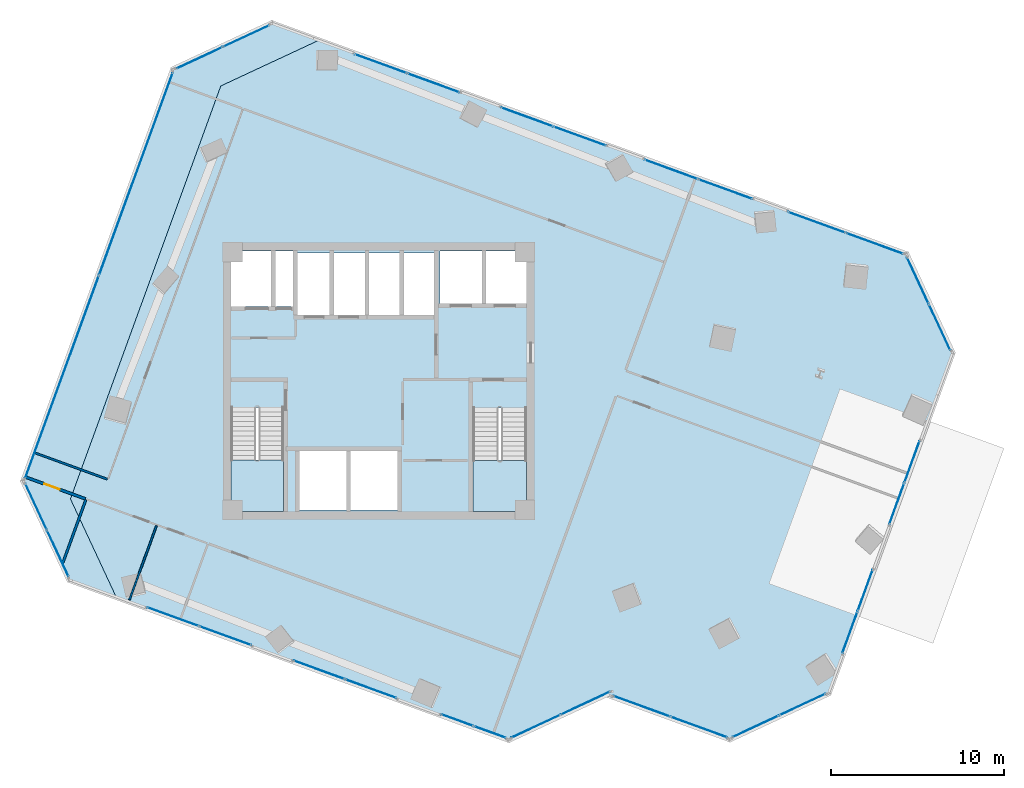
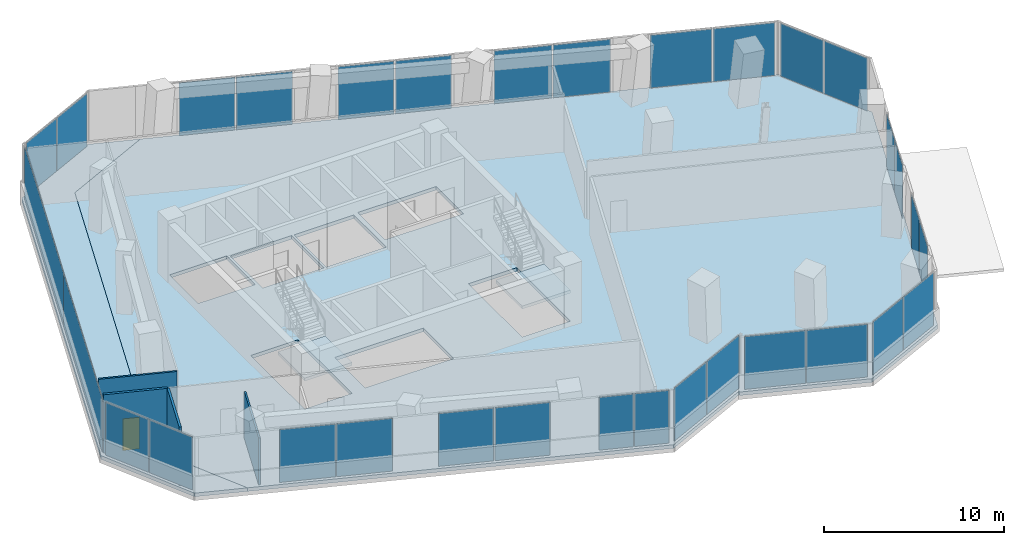
# One storey, part 15 of 21: 32 plates, 4 slabs, 4 walls, 1 door, 1 opening, 18 elements without a shape of their own.
"""IFC4 building model written with IfcOpenShell, lengths in metres."""

from ifc_helpers import new_model, si_unit, direction, frame, frame_2d, origin, origin_2d, place, context, subcontext, project, spatial, polyline, rectangle, outline, extrude, source, transform, mapped, material, layer, layer_set, type_object, element, fill, aggregate, save


model = new_model("IFC4")

# Units and contexts
model_context = context("Model", 3, precision=1e-05, world=origin(), true_north=direction((0.0, 1.0)))
body_context = subcontext(model_context, "Body", "Model", "MODEL_VIEW")
ifc_project = project(units=[si_unit("LENGTHUNIT", "METRE"), si_unit("AREAUNIT", "SQUARE_METRE"), si_unit("VOLUMEUNIT", "CUBIC_METRE"), si_unit("PLANEANGLEUNIT", "RADIAN"), si_unit("MASSUNIT", "GRAM", prefix="KILO")], contexts=[model_context])

# Site, building, storey
site_placement = place(None, origin())
site = spatial("IfcSite", under=ifc_project, at=site_placement, CompositionType="ELEMENT")
building_placement = place(site_placement, origin())
building = spatial("IfcBuilding", under=site, at=building_placement, Name="Torre Montelarca", CompositionType="ELEMENT")
storey_placement = place(building_placement, frame((0.0, 0.0, 133.0)))
storey = spatial("IfcBuildingStorey", under=building, at=storey_placement, Name="L29", CompositionType="ELEMENT", Elevation=133.0)

# Slabs
ifc_material_1 = material(Name="Concrete C40/50", Category="concrete")
ifc_layer_1 = layer(ifc_material_1, 0.239990234375, Name="Concrete C40/50", Category="concrete")
ifc_layer_set_1 = layer_set([ifc_layer_1], Name="Concrete C40/50")
slab_type_1 = type_object("IfcSlabType", Name="SL-FLR-240", PredefinedType="FLOOR", material=ifc_layer_set_1)
slab_1_placement = place(storey_placement, frame((0.0, 0.0, -0.239990234375)))
element("IfcSlab", 1, at=slab_1_placement, inside=storey, type_object=slab_type_1, Name="L29 Structural Floor Slab", PredefinedType="FLOOR", context=body_context, shape_type="SweptSolid", body=[
    extrude(outline(polyline([(25.517822265625, 11.169677734375), (31.28564453125, 13.859130859375), (31.25146484375, 13.76513671875), (38.299072265625, 11.199951171875), (44.06689453125, 13.889404296875), (51.249267578125, 33.623046875), (48.559814453125, 39.390869140625), (14.63671875, 51.73779296875), (8.869140625, 49.048095703125), (0.181884765625, 25.179931640625), (2.871337890625, 19.412353515625), (25.517822265625, 11.169677734375)]), holes=[polyline([(19.10009765625, 27.949951171875), (19.10009765625, 24.550048828125), (13.39990234375, 24.550048828125), (13.39990234375, 27.949951171875), (19.10009765625, 27.949951171875)]), polyline([(23.43994140625, 24.449951171875), (23.43994140625, 30.429931640625), (26.550048828125, 30.429931640625), (26.550048828125, 24.449951171875), (23.43994140625, 24.449951171875)]), polyline([(9.449951171875, 24.449951171875), (9.449951171875, 30.4599609375), (12.5, 30.4599609375), (12.5, 24.449951171875), (9.449951171875, 24.449951171875)]), polyline([(17.25, 35.800048828125), (13.300048828125, 35.800048828125), (13.300048828125, 39.39990234375), (17.25, 39.39990234375), (17.25, 35.800048828125)]), polyline([(21.25, 35.800048828125), (17.39990234375, 35.800048828125), (17.39990234375, 39.39990234375), (21.25, 39.39990234375), (21.25, 35.800048828125)]), polyline([(13.1201171875, 36.300048828125), (9.449951171875, 36.300048828125), (9.449951171875, 39.5), (13.1201171875, 39.5), (13.1201171875, 36.300048828125)]), polyline([(26.60009765625, 36.449951171875), (21.550048828125, 36.449951171875), (21.550048828125, 39.5), (26.60009765625, 39.5), (26.60009765625, 36.449951171875)])]), origin(), (0.0, 0.0, 1.0), 0.239990234375),
])
slab_2_placement = place(storey_placement, frame((0.0, 0.0, -0.239990234375)))
element("IfcSlab", 2, at=slab_2_placement, inside=storey, type_object=slab_type_1, Name="L29 Sliding Tray Winter Garden Floor Slab W1", PredefinedType="FLOOR", context=body_context, shape_type="SweptSolid", body=[
    extrude(outline(polyline([(2.871337890625, 19.412353515625), (0.181884765625, 25.179931640625), (8.869140625, 49.048095703125), (14.63671875, 51.73779296875), (11.817626953125, 52.763671875), (6.050048828125, 50.07421875), (-2.63720703125, 26.2060546875), (0.05224609375, 20.438232421875), (2.871337890625, 19.412353515625)])), origin(), (0.0, 0.0, 1.0), 0.239990234375),
])

# Stair, slab
stair_type_1 = type_object("IfcStairType", Name="ST-CORE-ST1", PredefinedType="HALF_TURN_STAIR", material=ifc_material_1)
stair_1_placement = place(storey_placement, origin())
stair_1 = element("IfcStair", 3, at=stair_1_placement, inside=storey, type_object=stair_type_1, Name="L29 Protected Exit Stair ST1", PredefinedType="HALF_TURN_STAIR")
ifc_layer_2 = layer(ifc_material_1, 0.199951171875, Name="Concrete C40/50", Category="concrete")
ifc_layer_set_2 = layer_set([ifc_layer_2], Name="Concrete C40/50")
slab_type_2 = type_object("IfcSlabType", Name="SL-ST-LAND-ST1", PredefinedType="LANDING", material=ifc_layer_set_2)
slab_3_placement = place(storey_placement, frame((0.0, 0.0, 1.89990234375)))
slab_3 = element("IfcSlab", 4, at=slab_3_placement, type_object=slab_type_2, Name="ST1 landing 1", PredefinedType="LANDING", context=body_context, shape_type="SweptSolid", body=[
    extrude(outline(polyline([(9.449951171875, 27.419921875), (9.449951171875, 24.449951171875), (12.5, 24.449951171875), (12.5, 27.419921875), (9.449951171875, 27.419921875)])), origin(), (0.0, 0.0, 1.0), 0.2001953125),
])
aggregate(stair_1, [slab_3])

stair_type_2 = type_object("IfcStairType", Name="ST-CORE-ST2", PredefinedType="HALF_TURN_STAIR", material=ifc_material_1)
stair_2_placement = place(storey_placement, origin())
stair_2 = element("IfcStair", 5, at=stair_2_placement, inside=storey, type_object=stair_type_2, Name="L29 Protected Exit Stair ST2", PredefinedType="HALF_TURN_STAIR")
ifc_layer_3 = layer(ifc_material_1, 0.199951171875, Name="Concrete C40/50", Category="concrete")
ifc_layer_set_3 = layer_set([ifc_layer_3], Name="Concrete C40/50")
slab_type_3 = type_object("IfcSlabType", Name="SL-ST-LAND-ST2", PredefinedType="LANDING", material=ifc_layer_set_3)
slab_4_placement = place(storey_placement, frame((0.0, 0.0, 1.89990234375)))
slab_4 = element("IfcSlab", 6, at=slab_4_placement, type_object=slab_type_3, Name="ST2 landing 1", PredefinedType="LANDING", context=body_context, shape_type="SweptSolid", body=[
    extrude(outline(polyline([(23.43994140625, 27.389892578125), (23.43994140625, 24.449951171875), (26.550048828125, 24.449951171875), (26.550048828125, 27.389892578125), (23.43994140625, 27.389892578125)])), origin(), (0.0, 0.0, 1.0), 0.2001953125),
])
aggregate(stair_2, [slab_4])

# Curtain wall, plates
ifc_material_2 = material(Name="Insulated low-E laminated glass", Category="glass")
curtain_wall_type = type_object("IfcCurtainWallType", Name="CW-SYS-Z2", PredefinedType="USERDEFINED", material=ifc_material_2)
curtain_wall_1_placement = place(storey_placement, origin())
curtain_wall_1 = element("IfcCurtainWall", 7, at=curtain_wall_1_placement, inside=storey, type_object=curtain_wall_type, Name="L29 Curtain Wall Run CW-T3-L29-E01-B1", ObjectType="UNITISED GLAZING", PredefinedType="USERDEFINED")
ifc_layer_4 = layer(ifc_material_2, 0.031982421875, Name="Insulated low-E laminated glass", Category="glass")
ifc_layer_set_4 = layer_set([ifc_layer_4], Name="Insulated low-E laminated glass")
plate_type = type_object("IfcPlateType", Name="CWP-GLZ-32", PredefinedType="CURTAIN_PANEL", material=ifc_layer_set_4)
shared_shape_1 = source(origin(), body_context, "Body", "SweptSolid", [
    extrude(rectangle(XDim=3.160400390625, YDim=0.031982421875, at=origin_2d()), origin(), (0.0, 0.0, 1.0), 3.590087890625),
])
plate_1_placement = place(storey_placement, frame((6.11083984375, 18.371337890625, 0.06494140625), z_axis=(0.0, 0.0, 1.0), x_axis=(0.939696594155, -0.342009226386, 0.0)))
plate_1 = element("IfcPlate", 8, at=plate_1_placement, type_object=plate_type, Name="CW panel 1.1", PredefinedType="CURTAIN_PANEL", context=body_context, shape_type="MappedRepresentation", body=[
    mapped(shared_shape_1, transform((0.0, 0.0, 0.0), scale=1.0)),
])
plate_2_placement = place(storey_placement, frame((9.1416015625, 17.268310546875, 0.06494140625), z_axis=(0.0, 0.0, 1.0), x_axis=(0.939696594155, -0.342009226386, 0.0)))
plate_2 = element("IfcPlate", 9, at=plate_2_placement, type_object=plate_type, Name="CW panel 2.1", PredefinedType="CURTAIN_PANEL", context=body_context, shape_type="MappedRepresentation", body=[
    mapped(shared_shape_1, transform((0.0, 0.0, 0.0), scale=1.0)),
])
aggregate(curtain_wall_1, [plate_1, plate_2])

curtain_wall_2_placement = place(storey_placement, origin())
curtain_wall_2 = element("IfcCurtainWall", 10, at=curtain_wall_2_placement, inside=storey, type_object=curtain_wall_type, Name="L29 Curtain Wall Run CW-T3-L29-E01-B2", ObjectType="UNITISED GLAZING", PredefinedType="USERDEFINED")
shared_shape_2 = source(origin(), body_context, "Body", "SweptSolid", [
    extrude(rectangle(XDim=3.121826171875, YDim=0.031982421875, at=origin_2d()), origin(), (0.0, 0.0, 1.0), 3.590087890625),
])
plate_3_placement = place(storey_placement, frame((14.5498046875, 15.2998046875, 0.06494140625), z_axis=(0.0, 0.0, 1.0), x_axis=(0.939692256952, -0.34202114295, 0.0)))
plate_3 = element("IfcPlate", 11, at=plate_3_placement, type_object=plate_type, Name="CW panel 1.1", PredefinedType="CURTAIN_PANEL", context=body_context, shape_type="MappedRepresentation", body=[
    mapped(shared_shape_2, transform((0.0, 0.0, 0.0), scale=1.0)),
])
plate_4_placement = place(storey_placement, frame((17.54443359375, 14.2099609375, 0.06494140625), z_axis=(0.0, 0.0, 1.0), x_axis=(0.939692256952, -0.34202114295, 0.0)))
plate_4 = element("IfcPlate", 12, at=plate_4_placement, type_object=plate_type, Name="CW panel 2.1", PredefinedType="CURTAIN_PANEL", context=body_context, shape_type="MappedRepresentation", body=[
    mapped(shared_shape_2, transform((0.0, 0.0, 0.0), scale=1.0)),
])
aggregate(curtain_wall_2, [plate_3, plate_4])

curtain_wall_3_placement = place(storey_placement, origin())
curtain_wall_3 = element("IfcCurtainWall", 13, at=curtain_wall_3_placement, inside=storey, type_object=curtain_wall_type, Name="L29 Curtain Wall Run CW-T3-L29-E01-B3", ObjectType="UNITISED GLAZING", PredefinedType="USERDEFINED")
shared_shape_3 = source(origin(), body_context, "Body", "SweptSolid", [
    extrude(rectangle(XDim=1.95458984375, YDim=0.031982421875, at=origin_2d()), origin(), (0.0, 0.0, 1.0), 3.590087890625),
])
plate_5_placement = place(storey_placement, frame((22.529296875, 12.395751953125, 0.06494140625), z_axis=(0.0, 0.0, 1.0), x_axis=(0.939691650161, -0.342022810083, 0.0)))
plate_5 = element("IfcPlate", 14, at=plate_5_placement, type_object=plate_type, Name="CW panel 1.1", PredefinedType="CURTAIN_PANEL", context=body_context, shape_type="MappedRepresentation", body=[
    mapped(shared_shape_3, transform((0.0, 0.0, 0.0), scale=1.0)),
])
plate_6_placement = place(storey_placement, frame((24.427001953125, 11.705078125, 0.06494140625), z_axis=(0.0, 0.0, 1.0), x_axis=(0.939691650161, -0.342022810083, 0.0)))
plate_6 = element("IfcPlate", 15, at=plate_6_placement, type_object=plate_type, Name="CW panel 2.1", PredefinedType="CURTAIN_PANEL", context=body_context, shape_type="MappedRepresentation", body=[
    mapped(shared_shape_3, transform((0.0, 0.0, 0.0), scale=1.0)),
])
aggregate(curtain_wall_3, [plate_5, plate_6])

curtain_wall_4_placement = place(storey_placement, origin())
curtain_wall_4 = element("IfcCurtainWall", 16, at=curtain_wall_4_placement, inside=storey, type_object=curtain_wall_type, Name="L29 Curtain Wall Run CW-T3-L29-E02-B1", ObjectType="UNITISED GLAZING", PredefinedType="USERDEFINED")
shared_shape_4 = source(origin(), body_context, "Body", "SweptSolid", [
    extrude(rectangle(XDim=3.102294921875, YDim=0.031982421875, at=origin_2d()), origin(), (0.0, 0.0, 1.0), 3.590087890625),
])
plate_7_placement = place(storey_placement, frame((27.078125, 12.04052734375, 0.06494140625), z_axis=(0.0, 0.0, 1.0), x_axis=(0.906321211244, 0.42258947224, 0.0)))
plate_7 = element("IfcPlate", 17, at=plate_7_placement, type_object=plate_type, Name="CW panel 1.1", PredefinedType="CURTAIN_PANEL", context=body_context, shape_type="MappedRepresentation", body=[
    mapped(shared_shape_4, transform((0.0, 0.0, 0.0), scale=1.0)),
])
plate_8_placement = place(storey_placement, frame((29.94873046875, 13.379150390625, 0.06494140625), z_axis=(0.0, 0.0, 1.0), x_axis=(0.906321211244, 0.42258947224, 0.0)))
plate_8 = element("IfcPlate", 18, at=plate_8_placement, type_object=plate_type, Name="CW panel 2.1", PredefinedType="CURTAIN_PANEL", context=body_context, shape_type="MappedRepresentation", body=[
    mapped(shared_shape_4, transform((0.0, 0.0, 0.0), scale=1.0)),
])
aggregate(curtain_wall_4, [plate_7, plate_8])

curtain_wall_5_placement = place(storey_placement, origin())
curtain_wall_5 = element("IfcCurtainWall", 19, at=curtain_wall_5_placement, inside=storey, type_object=curtain_wall_type, Name="L29 Curtain Wall Run CW-T3-L29-E04-B1", ObjectType="UNITISED GLAZING", PredefinedType="USERDEFINED")
shared_shape_5 = source(origin(), body_context, "Body", "SweptSolid", [
    extrude(rectangle(XDim=3.448486328125, YDim=0.031982421875, at=origin_2d()), origin(), (0.0, 0.0, 1.0), 3.590087890625),
])
plate_9_placement = place(storey_placement, frame((33.20458984375, 13.192626953125, 0.06494140625), z_axis=(0.0, 0.0, 1.0), x_axis=(0.939694579801, -0.342014760928, 0.0)))
plate_9 = element("IfcPlate", 20, at=plate_9_placement, type_object=plate_type, Name="CW panel 1.1", PredefinedType="CURTAIN_PANEL", context=body_context, shape_type="MappedRepresentation", body=[
    mapped(shared_shape_5, transform((0.0, 0.0, 0.0), scale=1.0)),
])
plate_10_placement = place(storey_placement, frame((36.50634765625, 11.990966796875, 0.06494140625), z_axis=(0.0, 0.0, 1.0), x_axis=(0.939694579801, -0.342014760928, 0.0)))
plate_10 = element("IfcPlate", 21, at=plate_10_placement, type_object=plate_type, Name="CW panel 2.1", PredefinedType="CURTAIN_PANEL", context=body_context, shape_type="MappedRepresentation", body=[
    mapped(shared_shape_5, transform((0.0, 0.0, 0.0), scale=1.0)),
])
aggregate(curtain_wall_5, [plate_9, plate_10])

curtain_wall_6_placement = place(storey_placement, origin())
curtain_wall_6 = element("IfcCurtainWall", 22, at=curtain_wall_6_placement, inside=storey, type_object=curtain_wall_type, Name="L29 Curtain Wall Run CW-T3-L29-E05-B1", ObjectType="UNITISED GLAZING", PredefinedType="USERDEFINED")
shared_shape_6 = source(origin(), body_context, "Body", "SweptSolid", [
    extrude(rectangle(XDim=2.918701171875, YDim=0.031982421875, at=origin_2d()), origin(), (0.0, 0.0, 1.0), 3.590087890625),
])
plate_11_placement = place(storey_placement, frame((39.776123046875, 12.0322265625, 0.06494140625), z_axis=(0.0, 0.0, 1.0), x_axis=(0.906317349192, 0.422597755027, 0.0)))
plate_11 = element("IfcPlate", 23, at=plate_11_placement, type_object=plate_type, Name="CW panel 1.1", PredefinedType="CURTAIN_PANEL", context=body_context, shape_type="MappedRepresentation", body=[
    mapped(shared_shape_6, transform((0.0, 0.0, 0.0), scale=1.0)),
])
plate_12_placement = place(storey_placement, frame((42.47998046875, 13.29296875, 0.06494140625), z_axis=(0.0, 0.0, 1.0), x_axis=(0.906317349192, 0.422597755027, 0.0)))
plate_12 = element("IfcPlate", 24, at=plate_12_placement, type_object=plate_type, Name="CW panel 2.1", PredefinedType="CURTAIN_PANEL", context=body_context, shape_type="MappedRepresentation", body=[
    mapped(shared_shape_6, transform((0.0, 0.0, 0.0), scale=1.0)),
])
aggregate(curtain_wall_6, [plate_11, plate_12])

curtain_wall_7_placement = place(storey_placement, origin())
curtain_wall_7 = element("IfcCurtainWall", 25, at=curtain_wall_7_placement, inside=storey, type_object=curtain_wall_type, Name="L29 Curtain Wall Run CW-T3-L29-E07-B1", ObjectType="UNITISED GLAZING", PredefinedType="USERDEFINED")
plate_13_placement = place(storey_placement, frame((50.4169921875, 35.10009765625, 0.06494140625), z_axis=(0.0, 0.0, 1.0), x_axis=(-0.422597755027, 0.906317349192, 0.0)))
plate_13 = element("IfcPlate", 26, at=plate_13_placement, type_object=plate_type, Name="CW panel 1.1", PredefinedType="CURTAIN_PANEL", context=body_context, shape_type="MappedRepresentation", body=[
    mapped(shared_shape_6, transform((0.0, 0.0, 0.0), scale=1.0)),
])
plate_14_placement = place(storey_placement, frame((49.15625, 37.80419921875, 0.06494140625), z_axis=(0.0, 0.0, 1.0), x_axis=(-0.422597755027, 0.906317349192, 0.0)))
plate_14 = element("IfcPlate", 27, at=plate_14_placement, type_object=plate_type, Name="CW panel 2.1", PredefinedType="CURTAIN_PANEL", context=body_context, shape_type="MappedRepresentation", body=[
    mapped(shared_shape_6, transform((0.0, 0.0, 0.0), scale=1.0)),
])
aggregate(curtain_wall_7, [plate_13, plate_14])

curtain_wall_8_placement = place(storey_placement, origin())
curtain_wall_8 = element("IfcCurtainWall", 28, at=curtain_wall_8_placement, inside=storey, type_object=curtain_wall_type, Name="L29 Curtain Wall Run CW-T3-L29-E09-B1", ObjectType="UNITISED GLAZING", PredefinedType="USERDEFINED")
plate_15_placement = place(storey_placement, frame((10.3408203125, 51.931640625, 0.06494140625), z_axis=(0.0, 0.0, 1.0), x_axis=(-0.906317349192, -0.422597755027, 0.0)))
plate_15 = element("IfcPlate", 29, at=plate_15_placement, type_object=plate_type, Name="CW panel 1.1", PredefinedType="CURTAIN_PANEL", context=body_context, shape_type="MappedRepresentation", body=[
    mapped(shared_shape_6, transform((0.0, 0.0, 0.0), scale=1.0)),
])
plate_16_placement = place(storey_placement, frame((7.63671875, 50.670654296875, 0.06494140625), z_axis=(0.0, 0.0, 1.0), x_axis=(-0.906317349192, -0.422597755027, 0.0)))
plate_16 = element("IfcPlate", 30, at=plate_16_placement, type_object=plate_type, Name="CW panel 2.1", PredefinedType="CURTAIN_PANEL", context=body_context, shape_type="MappedRepresentation", body=[
    mapped(shared_shape_6, transform((0.0, 0.0, 0.0), scale=1.0)),
])
aggregate(curtain_wall_8, [plate_15, plate_16])

curtain_wall_9_placement = place(storey_placement, origin())
curtain_wall_9 = element("IfcCurtainWall", 31, at=curtain_wall_9_placement, inside=storey, type_object=curtain_wall_type, Name="L29 Curtain Wall Run CW-T3-L29-E11-B1", ObjectType="UNITISED GLAZING", PredefinedType="USERDEFINED")
plate_17_placement = place(storey_placement, frame((-1.80517578125, 24.72900390625, 0.06494140625), z_axis=(0.0, 0.0, 1.0), x_axis=(0.422597755027, -0.906317349192, 0.0)))
plate_17 = element("IfcPlate", 32, at=plate_17_placement, type_object=plate_type, Name="CW panel 1.1", PredefinedType="CURTAIN_PANEL", context=body_context, shape_type="MappedRepresentation", body=[
    mapped(shared_shape_6, transform((0.0, 0.0, 0.0), scale=1.0)),
])
plate_18_placement = place(storey_placement, frame((-0.544189453125, 22.02490234375, 0.06494140625), z_axis=(0.0, 0.0, 1.0), x_axis=(0.422597755027, -0.906317349192, 0.0)))
plate_18 = element("IfcPlate", 33, at=plate_18_placement, type_object=plate_type, Name="CW panel 2.1", PredefinedType="CURTAIN_PANEL", context=body_context, shape_type="MappedRepresentation", body=[
    mapped(shared_shape_6, transform((0.0, 0.0, 0.0), scale=1.0)),
])
aggregate(curtain_wall_9, [plate_17, plate_18])

curtain_wall_10_placement = place(storey_placement, origin())
curtain_wall_10 = element("IfcCurtainWall", 34, at=curtain_wall_10_placement, inside=storey, type_object=curtain_wall_type, Name="L29 Curtain Wall Run CW-T3-L29-E06-B1", ObjectType="UNITISED GLAZING", PredefinedType="USERDEFINED")
shared_shape_7 = source(origin(), body_context, "Body", "SweptSolid", [
    extrude(rectangle(XDim=2.52099609375, YDim=0.031982421875, at=origin_2d()), origin(), (0.0, 0.0, 1.0), 3.590087890625),
])
plate_19_placement = place(storey_placement, frame((45.22900390625, 17.462890625, 0.06494140625), z_axis=(0.0, 0.0, 1.0), x_axis=(0.342031285334, 0.939688565352, 0.0)))
plate_19 = element("IfcPlate", 35, at=plate_19_placement, type_object=plate_type, Name="CW panel 1.1", PredefinedType="CURTAIN_PANEL", context=body_context, shape_type="MappedRepresentation", body=[
    mapped(shared_shape_7, transform((0.0, 0.0, 0.0), scale=1.0)),
])
plate_20_placement = place(storey_placement, frame((46.113525390625, 19.89306640625, 0.06494140625), z_axis=(0.0, 0.0, 1.0), x_axis=(0.342031285334, 0.939688565352, 0.0)))
plate_20 = element("IfcPlate", 36, at=plate_20_placement, type_object=plate_type, Name="CW panel 2.1", PredefinedType="CURTAIN_PANEL", context=body_context, shape_type="MappedRepresentation", body=[
    mapped(shared_shape_7, transform((0.0, 0.0, 0.0), scale=1.0)),
])
aggregate(curtain_wall_10, [plate_19, plate_20])

curtain_wall_11_placement = place(storey_placement, origin())
curtain_wall_11 = element("IfcCurtainWall", 37, at=curtain_wall_11_placement, inside=storey, type_object=curtain_wall_type, Name="L29 Curtain Wall Run CW-T3-L29-E06-B2", ObjectType="UNITISED GLAZING", PredefinedType="USERDEFINED")
shared_shape_8 = source(origin(), body_context, "Body", "SweptSolid", [
    extrude(rectangle(XDim=2.52001953125, YDim=0.031982421875, at=origin_2d()), origin(), (0.0, 0.0, 1.0), 3.590087890625),
])
plate_21_placement = place(storey_placement, frame((47.939453125, 24.90966796875, 0.06494140625), z_axis=(0.0, 0.0, 1.0), x_axis=(0.34200685601, 0.939697456867, 0.0)))
plate_21 = element("IfcPlate", 38, at=plate_21_placement, type_object=plate_type, Name="CW panel 1.1", PredefinedType="CURTAIN_PANEL", context=body_context, shape_type="MappedRepresentation", body=[
    mapped(shared_shape_8, transform((0.0, 0.0, 0.0), scale=1.0)),
])
plate_22_placement = place(storey_placement, frame((48.823486328125, 27.338623046875, 0.06494140625), z_axis=(0.0, 0.0, 1.0), x_axis=(0.34200685601, 0.939697456867, 0.0)))
plate_22 = element("IfcPlate", 39, at=plate_22_placement, type_object=plate_type, Name="CW panel 2.1", PredefinedType="CURTAIN_PANEL", context=body_context, shape_type="MappedRepresentation", body=[
    mapped(shared_shape_8, transform((0.0, 0.0, 0.0), scale=1.0)),
])
aggregate(curtain_wall_11, [plate_21, plate_22])

curtain_wall_12_placement = place(storey_placement, origin())
curtain_wall_12 = element("IfcCurtainWall", 40, at=curtain_wall_12_placement, inside=storey, type_object=curtain_wall_type, Name="L29 Curtain Wall Run CW-T3-L29-E08-B1", ObjectType="UNITISED GLAZING", PredefinedType="USERDEFINED")
shared_shape_9 = source(origin(), body_context, "Body", "SweptSolid", [
    extrude(rectangle(XDim=3.4921875, YDim=0.031982421875, at=origin_2d()), origin(), (0.0, 0.0, 1.0), 3.590087890625),
])
plate_23_placement = place(storey_placement, frame((46.657470703125, 39.94482421875, 0.06494140625), z_axis=(0.0, 0.0, 1.0), x_axis=(-0.939693336817, 0.342018176041, 0.0)))
plate_23 = element("IfcPlate", 41, at=plate_23_placement, type_object=plate_type, Name="CW panel 1.1", PredefinedType="CURTAIN_PANEL", context=body_context, shape_type="MappedRepresentation", body=[
    mapped(shared_shape_9, transform((0.0, 0.0, 0.0), scale=1.0)),
])
plate_24_placement = place(storey_placement, frame((43.31494140625, 41.161376953125, 0.06494140625), z_axis=(0.0, 0.0, 1.0), x_axis=(-0.939693336817, 0.342018176041, 0.0)))
plate_24 = element("IfcPlate", 42, at=plate_24_placement, type_object=plate_type, Name="CW panel 2.1", PredefinedType="CURTAIN_PANEL", context=body_context, shape_type="MappedRepresentation", body=[
    mapped(shared_shape_9, transform((0.0, 0.0, 0.0), scale=1.0)),
])
aggregate(curtain_wall_12, [plate_23, plate_24])

curtain_wall_13_placement = place(storey_placement, origin())
curtain_wall_13 = element("IfcCurtainWall", 43, at=curtain_wall_13_placement, inside=storey, type_object=curtain_wall_type, Name="L29 Curtain Wall Run CW-T3-L29-E08-B2", ObjectType="UNITISED GLAZING", PredefinedType="USERDEFINED")
shared_shape_10 = source(origin(), body_context, "Body", "SweptSolid", [
    extrude(rectangle(XDim=3.26513671875, YDim=0.031982421875, at=origin_2d()), origin(), (0.0, 0.0, 1.0), 3.590087890625),
])
plate_25_placement = place(storey_placement, frame((38.03515625, 43.0830078125, 0.06494140625), z_axis=(0.0, 0.0, 1.0), x_axis=(-0.939693532892, 0.342017637326, 0.0)))
plate_25 = element("IfcPlate", 44, at=plate_25_placement, type_object=plate_type, Name="CW panel 1.1", PredefinedType="CURTAIN_PANEL", context=body_context, shape_type="MappedRepresentation", body=[
    mapped(shared_shape_10, transform((0.0, 0.0, 0.0), scale=1.0)),
])
plate_26_placement = place(storey_placement, frame((34.90576171875, 44.221923828125, 0.06494140625), z_axis=(0.0, 0.0, 1.0), x_axis=(-0.939693532892, 0.342017637326, 0.0)))
plate_26 = element("IfcPlate", 45, at=plate_26_placement, type_object=plate_type, Name="CW panel 2.1", PredefinedType="CURTAIN_PANEL", context=body_context, shape_type="MappedRepresentation", body=[
    mapped(shared_shape_10, transform((0.0, 0.0, 0.0), scale=1.0)),
])
aggregate(curtain_wall_13, [plate_25, plate_26])

curtain_wall_14_placement = place(storey_placement, origin())
curtain_wall_14 = element("IfcCurtainWall", 46, at=curtain_wall_14_placement, inside=storey, type_object=curtain_wall_type, Name="L29 Curtain Wall Run CW-T3-L29-E08-B3", ObjectType="UNITISED GLAZING", PredefinedType="USERDEFINED")
shared_shape_11 = source(origin(), body_context, "Body", "SweptSolid", [
    extrude(rectangle(XDim=3.181884765625, YDim=0.031982421875, at=origin_2d()), origin(), (0.0, 0.0, 1.0), 3.590087890625),
])
plate_27_placement = place(storey_placement, frame((29.6171875, 46.14697265625, 0.06494140625), z_axis=(0.0, 0.0, 1.0), x_axis=(-0.939693666879, 0.342017269195, 0.0)))
plate_27 = element("IfcPlate", 47, at=plate_27_placement, type_object=plate_type, Name="CW panel 1.1", PredefinedType="CURTAIN_PANEL", context=body_context, shape_type="MappedRepresentation", body=[
    mapped(shared_shape_11, transform((0.0, 0.0, 0.0), scale=1.0)),
])
plate_28_placement = place(storey_placement, frame((26.566162109375, 47.25732421875, 0.06494140625), z_axis=(0.0, 0.0, 1.0), x_axis=(-0.939693666879, 0.342017269195, 0.0)))
plate_28 = element("IfcPlate", 48, at=plate_28_placement, type_object=plate_type, Name="CW panel 2.1", PredefinedType="CURTAIN_PANEL", context=body_context, shape_type="MappedRepresentation", body=[
    mapped(shared_shape_11, transform((0.0, 0.0, 0.0), scale=1.0)),
])
aggregate(curtain_wall_14, [plate_27, plate_28])

curtain_wall_15_placement = place(storey_placement, origin())
curtain_wall_15 = element("IfcCurtainWall", 49, at=curtain_wall_15_placement, inside=storey, type_object=curtain_wall_type, Name="L29 Curtain Wall Run CW-T3-L29-E08-B4", ObjectType="UNITISED GLAZING", PredefinedType="USERDEFINED")
shared_shape_12 = source(origin(), body_context, "Body", "SweptSolid", [
    extrude(rectangle(XDim=3.180908203125, YDim=0.031982421875, at=origin_2d()), origin(), (0.0, 0.0, 1.0), 3.590087890625),
])
plate_29_placement = place(storey_placement, frame((21.160400390625, 49.224853515625, 0.06494140625), z_axis=(0.0, 0.0, 1.0), x_axis=(-0.939692297627, 0.342021031195, 0.0)))
plate_29 = element("IfcPlate", 50, at=plate_29_placement, type_object=plate_type, Name="CW panel 1.1", PredefinedType="CURTAIN_PANEL", context=body_context, shape_type="MappedRepresentation", body=[
    mapped(shared_shape_12, transform((0.0, 0.0, 0.0), scale=1.0)),
])
plate_30_placement = place(storey_placement, frame((18.1103515625, 50.3349609375, 0.06494140625), z_axis=(0.0, 0.0, 1.0), x_axis=(-0.939692297627, 0.342021031195, 0.0)))
plate_30 = element("IfcPlate", 51, at=plate_30_placement, type_object=plate_type, Name="CW panel 2.1", PredefinedType="CURTAIN_PANEL", context=body_context, shape_type="MappedRepresentation", body=[
    mapped(shared_shape_12, transform((0.0, 0.0, 0.0), scale=1.0)),
])
aggregate(curtain_wall_15, [plate_29, plate_30])

curtain_wall_16_placement = place(storey_placement, origin())
curtain_wall_16 = element("IfcCurtainWall", 52, at=curtain_wall_16_placement, inside=storey, type_object=curtain_wall_type, Name="L29 Curtain Wall Run CW-T3-L29-E10-B1", ObjectType="UNITISED GLAZING", PredefinedType="USERDEFINED")
shared_shape_13 = source(origin(), body_context, "Body", "SweptSolid", [
    extrude(rectangle(XDim=12.4365234375, YDim=0.031982421875, at=origin_2d()), origin(), (0.0, 0.0, 1.0), 3.590087890625),
])
plate_31_placement = place(storey_placement, frame((3.96630859375, 43.969482421875, 0.06494140625), z_axis=(0.0, 0.0, 1.0), x_axis=(-0.342019142012, -0.939692985234, 0.0)))
plate_31 = element("IfcPlate", 53, at=plate_31_placement, type_object=plate_type, Name="CW panel 1.1", PredefinedType="CURTAIN_PANEL", context=body_context, shape_type="MappedRepresentation", body=[
    mapped(shared_shape_13, transform((0.0, 0.0, 0.0), scale=1.0)),
])
plate_32_placement = place(storey_placement, frame((-0.309326171875, 32.2216796875, 0.06494140625), z_axis=(0.0, 0.0, 1.0), x_axis=(-0.342019142012, -0.939692985234, 0.0)))
plate_32 = element("IfcPlate", 54, at=plate_32_placement, type_object=plate_type, Name="CW panel 2.1", PredefinedType="CURTAIN_PANEL", context=body_context, shape_type="MappedRepresentation", body=[
    mapped(shared_shape_13, transform((0.0, 0.0, 0.0), scale=1.0)),
])
aggregate(curtain_wall_16, [plate_31, plate_32])

# Wall, opening, door
ifc_material_3 = material(Name="Gypsum plasterboard on steel stud", Category="steel")
ifc_layer_5 = layer(ifc_material_3, 0.159912109375, Name="Gypsum plasterboard on steel stud", Category="steel")
ifc_layer_set_5 = layer_set([ifc_layer_5], Name="Gypsum plasterboard on steel stud")
wall_type_1 = type_object("IfcWallType", Name="PW-FIRE-160", PredefinedType="PARTITIONING", material=ifc_layer_set_5)
wall_1_placement = place(storey_placement, frame((-2.365478515625, 26.426513671875, 0.0), z_axis=(0.0, 0.0, 1.0), x_axis=(0.939671610829, -0.342077862192, 0.0)))
wall_1 = element("IfcWall", 55, at=wall_1_placement, inside=storey, type_object=wall_type_1, Name="L29 Interior Partition W-L29-SOCCW", PredefinedType="PARTITIONING", context=body_context, shape_type="SweptSolid", body=[
    extrude(rectangle(XDim=3.6298828125, YDim=0.159912109375, at=frame_2d((1.81494140625, 0.0))), origin(), (0.0, 0.0, 1.0), 3.9599609375),
])
opening_placement = place(wall_1_placement, frame((1.10009765625, 0.0, 0.0)))
opening = element("IfcOpeningElement", 56, at=opening_placement, cuts=wall_1, Name="Opening FD-095", PredefinedType="OPENING", context=body_context, shape_type="SweptSolid", body=[
    extrude(rectangle(XDim=0.949951171875, YDim=2.14990234375, at=frame_2d((0.47509765625, 1.074951171875))), frame((0.0, 0.08984375, 0.0), z_axis=(0.0, -1.0, 0.0), x_axis=(1.0, 0.0, 0.0)), (0.0, 0.0, 1.0), 0.179931640625),
])
ifc_material_4 = material(Name="Timber fire-rated room door", Category="wood")
door_type = type_object("IfcDoorType", Name="DR-FIRE-095", OperationType="NOTDEFINED", PredefinedType="DOOR", material=ifc_material_4)
shared_shape_14 = source(origin(), body_context, "Body", "SweptSolid", [
    extrude(rectangle(XDim=0.949951171875, YDim=2.14990234375, at=frame_2d((0.47509765625, 1.074951171875))), frame((0.0, 0.02490234375, 0.0), z_axis=(0.0, -1.0, 0.0), x_axis=(1.0, 0.0, 0.0)), (0.0, 0.0, 1.0), 0.050048828125),
])
door_placement = place(opening_placement, origin())
door = element("IfcDoor", 57, at=door_placement, inside=storey, type_object=door_type, Name="L29 Interior Door 04", OperationType="SINGLE_SWING_LEFT", OverallHeight=2.14990234375, OverallWidth=0.949951171875, PredefinedType="DOOR", context=body_context, shape_type="MappedRepresentation", body=[
    mapped(shared_shape_14, transform((0.0, 0.0, 0.0), scale=1.0)),
])
fill(opening, door)

# Walls
ifc_material_5 = material(Name="Acoustic laminated glass partition", Category="glass")
ifc_layer_6 = layer(ifc_material_5, 0.10009765625, Name="Acoustic laminated glass partition", Category="glass")
ifc_layer_set_6 = layer_set([ifc_layer_6], Name="Acoustic laminated glass partition")
wall_type_2 = type_object("IfcWallType", Name="PW-GLAZ-100", PredefinedType="PARTITIONING", material=ifc_layer_set_6)
wall_2_placement = place(storey_placement, frame((3.5908203125, 19.342041015625, 0.0), z_axis=(0.0, 0.0, 1.0), x_axis=(0.341969903355, 0.939710905119, 0.0)))
element("IfcWall", 58, at=wall_2_placement, inside=storey, type_object=wall_type_2, Name="L29 Interior Partition W-L29-WCD", PredefinedType="PARTITIONING", context=body_context, shape_type="SweptSolid", body=[
    extrude(rectangle(XDim=4.579833984375, YDim=0.10009765625, at=frame_2d((2.2900390625, 0.0))), origin(), (0.0, 0.0, 1.0), 3.195068359375),
])
ifc_layer_7 = layer(ifc_material_3, 0.114990234375, Name="Gypsum plasterboard on steel stud", Category="steel")
ifc_layer_set_7 = layer_set([ifc_layer_7], Name="Gypsum plasterboard on steel stud")
wall_type_3 = type_object("IfcWallType", Name="PW-PART-115", PredefinedType="PARTITIONING", material=ifc_layer_set_7)
wall_3_placement = place(storey_placement, frame((-1.8525390625, 27.8359375, 0.0), z_axis=(0.0, 0.0, 1.0), x_axis=(0.939693620895, -0.342017395535, 0.0)))
element("IfcWall", 59, at=wall_3_placement, inside=storey, type_object=wall_type_3, Name="L29 Interior Partition W-L29-WWGS", PredefinedType="PARTITIONING", context=body_context, shape_type="SweptSolid", body=[
    extrude(rectangle(XDim=4.429931640625, YDim=0.114990234375, at=frame_2d((2.21484375, 0.0))), origin(), (0.0, 0.0, 1.0), 3.9599609375),
])
ifc_layer_8 = layer(ifc_material_3, 0.135009765625, Name="Gypsum plasterboard on steel stud", Category="steel")
ifc_layer_set_8 = layer_set([ifc_layer_8], Name="Gypsum plasterboard on steel stud")
wall_type_4 = type_object("IfcWallType", Name="PW-PART-135", PredefinedType="PARTITIONING", material=ifc_layer_set_8)
wall_4_placement = place(storey_placement, frame((-0.2548828125, 21.4951171875, 0.0), z_axis=(0.0, 0.0, 1.0), x_axis=(0.342006312725, 0.939697654598, 0.0)))
element("IfcWall", 60, at=wall_4_placement, inside=storey, type_object=wall_type_4, Name="L29 Interior Partition W-L29-WCW", PredefinedType="PARTITIONING", context=body_context, shape_type="SweptSolid", body=[
    extrude(rectangle(XDim=3.871826171875, YDim=0.135009765625, at=frame_2d((1.93603515625, 0.0))), origin(), (0.0, 0.0, 1.0), 3.9599609375),
])

save(model, "model.ifc")
